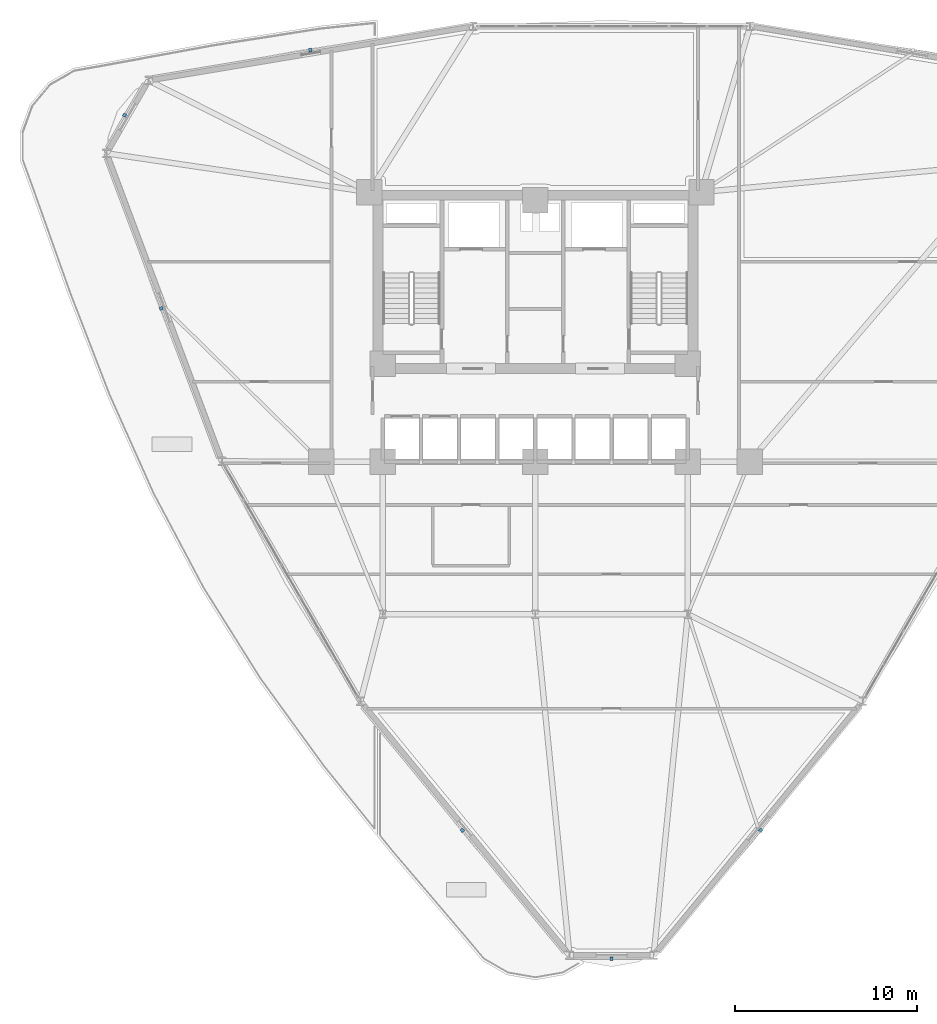
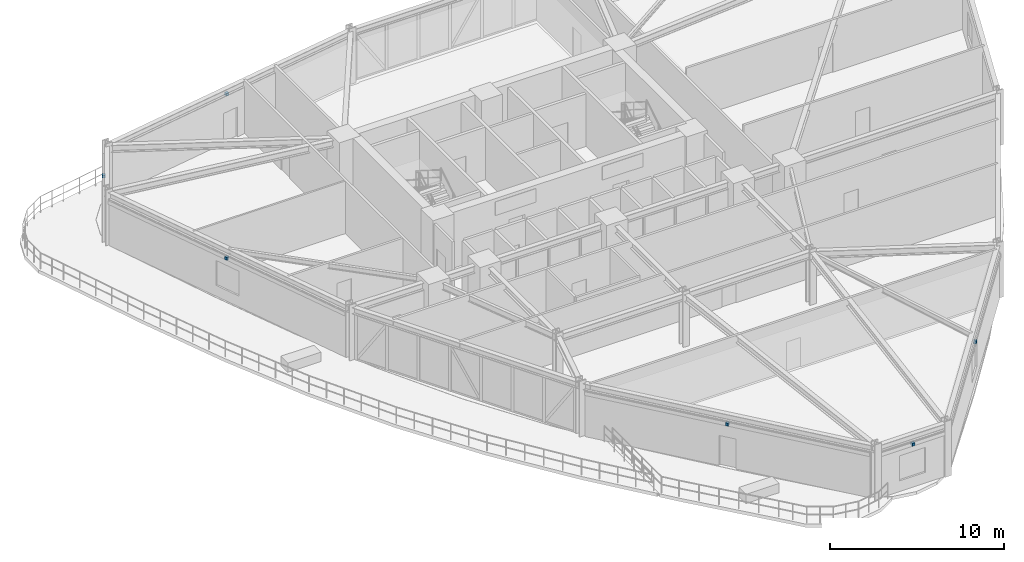
# One storey, part 17 of 21: 6 discrete accessories.
"""IFC4 building model written with IfcOpenShell, lengths in metres."""

from ifc_helpers import new_model, si_unit, derived_unit, direction, frame, origin, origin_2d, place, context, subcontext, project, spatial, rectangle, extrude, source, transform, mapped, material, type_object, element, save


model = new_model("IFC4")

# Units and contexts
model_context = context("Model", 3, precision=1e-05, world=origin(), true_north=direction((0.0, 1.0)))
body_context = subcontext(model_context, "Body", "Model", "MODEL_VIEW")
ifc_project = project(units=[si_unit("LENGTHUNIT", "METRE"), si_unit("AREAUNIT", "SQUARE_METRE"), si_unit("VOLUMEUNIT", "CUBIC_METRE"), si_unit("PLANEANGLEUNIT", "RADIAN"), si_unit("MASSUNIT", "GRAM", prefix="KILO"), derived_unit("THERMALTRANSMITTANCEUNIT", [(si_unit("POWERUNIT", "WATT"), 1), (si_unit("LENGTHUNIT", "METRE"), -2), (si_unit("THERMODYNAMICTEMPERATUREUNIT", "KELVIN"), -1)])], contexts=[model_context])

# Site, building, storey
site_placement = place(None, origin())
site = spatial("IfcSite", under=ifc_project, at=site_placement, CompositionType="ELEMENT")
building_placement = place(site_placement, origin())
building = spatial("IfcBuilding", under=site, at=building_placement, Name="Korsvarv Bourse and Concert Hall", CompositionType="ELEMENT")
storey_placement = place(building_placement, frame((0.0, 0.0, 63.89990234375)))
storey = spatial("IfcBuildingStorey", under=building, at=storey_placement, Name="L15", CompositionType="ELEMENT", Elevation=63.89990234375)

# Discrete accessories
ifc_material = material(Name="Stainless Steel S355 facade outrigger bracket", Category="steel")
discrete_accessory_type = type_object("IfcDiscreteAccessoryType", Name="ACC-BRK-1", PredefinedType="BRACKET", material=ifc_material)
shared_shape = source(origin(), body_context, "Body", "SweptSolid", [
    extrude(rectangle(XDim=0.179931640625, YDim=0.179931640625, at=origin_2d()), origin(), (0.0, 0.0, 1.0), 0.199951171875),
])
for number, where, z_axis, x_axis, name in (
    (1, (23.606689453125, 55.0751953125, 2.97021484375), (0.0, 0.0, 1.0), (-0.986400586142, -0.164359008451, 0.0), "L15 terracotta sunshade bracket EW-L15-B04"),
    (2, (13.37841796875, 51.485595703125, 2.97021484375), (0.0, 0.0, 1.0), (-0.5, -0.866025403784, 0.0), "L15 terracotta sunshade bracket EW-L15-B05"),
    (3, (15.39306640625, 40.836181640625, 2.97021484375), (0.0, 0.0, 1.0), (0.350861216412, -0.936427470132, 0.0), "L15 terracotta sunshade bracket EW-L15-B06"),
    (4, (31.97705078125, 12.092041015625, 2.97021484375), (0.0, 0.0, 1.0), (0.63553936973, -0.772068461681, 0.0), "L15 terracotta sunshade bracket EW-L15-B08"),
    (5, (40.199951171875, 5.029052734375, 2.97021484375), (0.0, 0.0, 1.0), (1.0, 0.0, 0.0), "L15 terracotta sunshade bracket EW-L15-B09"),
    (6, (48.415283203125, 12.098388671875, 2.97021484375), (0.0, 0.0, 1.0), (0.63553936973, 0.772068461681, 0.0), "L15 terracotta sunshade bracket EW-L15-B10"),
):
    element("IfcDiscreteAccessory", number, at=place(storey_placement, frame(where, z_axis=z_axis, x_axis=x_axis)), inside=storey, type_object=discrete_accessory_type, Name=name, PredefinedType="BRACKET", context=body_context, shape_type="MappedRepresentation", body=[
        mapped(shared_shape, transform((0.0, 0.0, 0.0), scale=1.0)),
    ])

save(model, "model.ifc")
